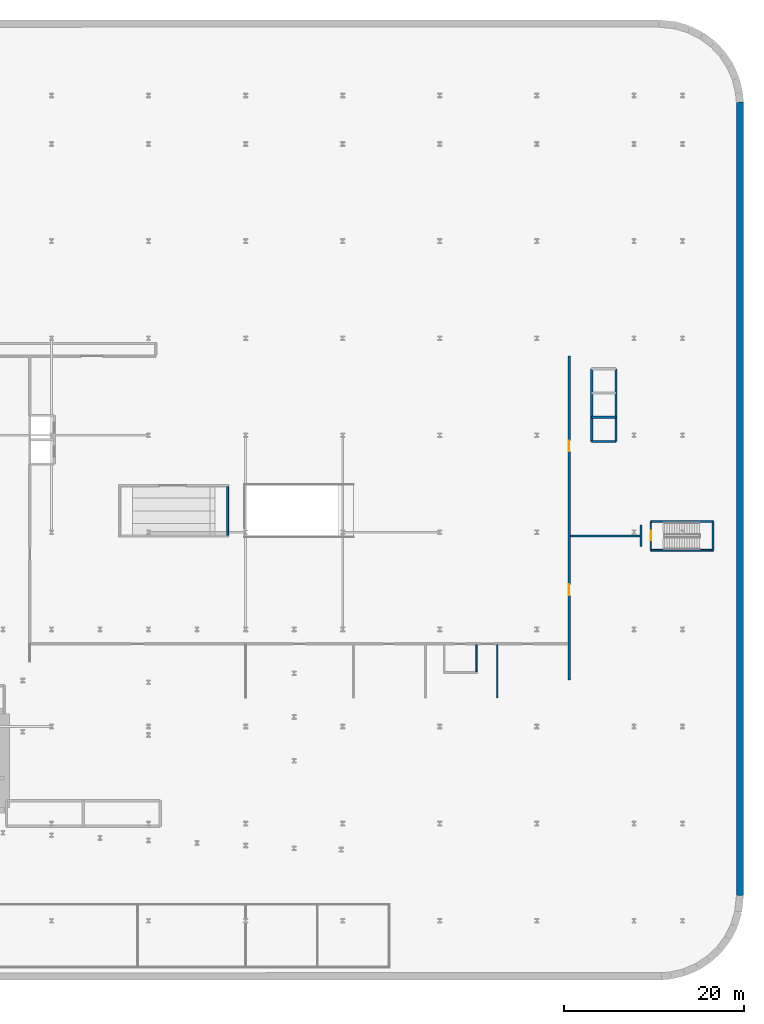
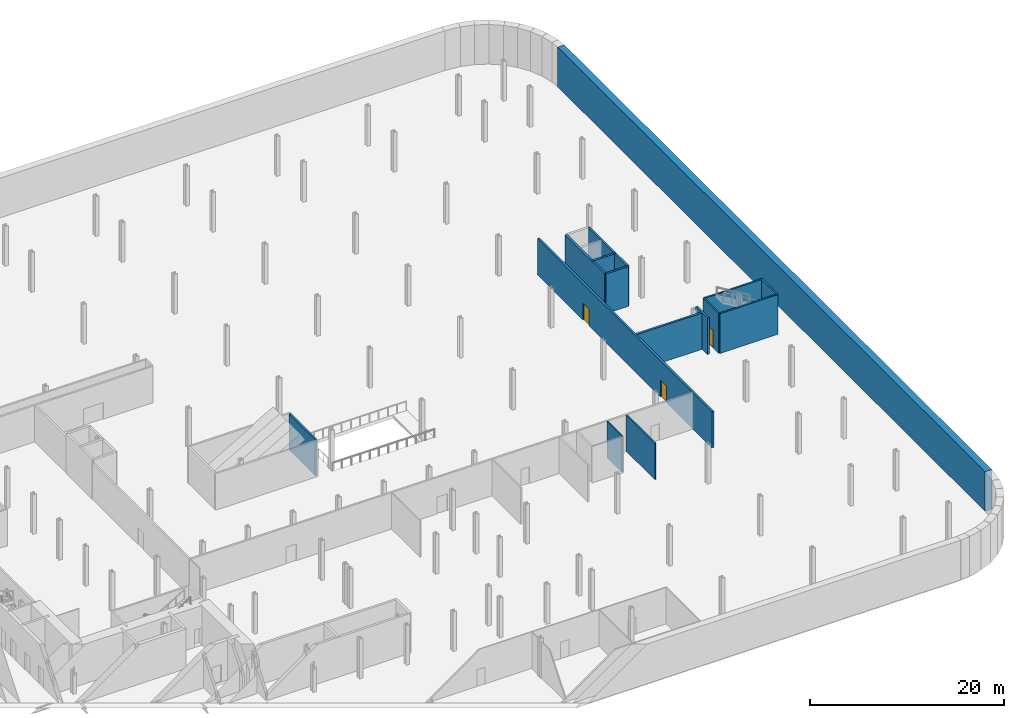
# One storey, part 13 of 19: 15 walls, 3 doors, 3 openings.
"""IFC4 building model written with IfcOpenShell, lengths in metres."""

from ifc_helpers import new_model, si_unit, direction, frame, frame_2d, origin, place, context, subcontext, project, spatial, rectangle, extrude, source, transform, mapped, material, layer, layer_set, type_object, element, fill, save


model = new_model("IFC4")

# Units and contexts
model_context = context("Model", 3, precision=1e-05, world=origin(), true_north=direction((0.0, 1.0)))
body_context = subcontext(model_context, "Body", "Model", "MODEL_VIEW")
ifc_project = project(units=[si_unit("LENGTHUNIT", "METRE"), si_unit("AREAUNIT", "SQUARE_METRE"), si_unit("VOLUMEUNIT", "CUBIC_METRE"), si_unit("PLANEANGLEUNIT", "RADIAN"), si_unit("MASSUNIT", "GRAM", prefix="KILO")], contexts=[model_context])

# Site, building, storey
site_placement = place(None, origin())
site = spatial("IfcSite", under=ifc_project, at=site_placement, CompositionType="ELEMENT")
building_placement = place(site_placement, origin())
building = spatial("IfcBuilding", under=site, at=building_placement, Name="Kheshtan School and Residences Tower", CompositionType="ELEMENT")
storey_placement = place(building_placement, frame((0.0, 0.0, -5.0)))
storey = spatial("IfcBuildingStorey", under=building, at=storey_placement, Name="B1", CompositionType="ELEMENT", Elevation=-5.0)

# Walls
ifc_material_1 = material(Name="Concrete C35/45", Category="concrete")
ifc_layer_1 = layer(ifc_material_1, 0.800048828125)
ifc_layer_set_1 = layer_set([ifc_layer_1], Name="Basement wall 800 Concrete C35/45")
wall_type_1 = type_object("IfcWallType", Name="Basement wall 800 Concrete C35/45", PredefinedType="SOLIDWALL", material=ifc_layer_set_1)
wall_1_placement = place(storey_placement, frame((134.989013671875, 104.260986328125, 0.0), z_axis=(0.0, 0.0, 1.0), x_axis=(0.000124475473, -0.999999992253, 0.0)))
element("IfcWall", 1, at=wall_1_placement, inside=storey, type_object=wall_type_1, Name="Secant pile wall 20", PredefinedType="SOLIDWALL", context=body_context, shape_type="SweptSolid", body=[
    extrude(rectangle(XDim=88.260986328125, YDim=0.800048828125, at=frame_2d((44.13037109375, 0.0))), origin(), (0.0, 0.0, 1.0), 5.0),
])
ifc_material_2 = material(Name="Gypsum board on steel studs with fire boards", Category="steel")
ifc_layer_2 = layer(ifc_material_2, 0.199951171875)
ifc_layer_set_2 = layer_set([ifc_layer_2], Name="Corridor wall 200")
wall_type_2 = type_object("IfcWallType", Name="Corridor wall 200", PredefinedType="PARTITIONING", material=ifc_layer_set_2)
wall_2_placement = place(storey_placement, frame((78.0, 56.10009765625, 0.0), z_axis=(0.0, 0.0, 1.0), x_axis=(0.0, 1.0, 0.0)))
element("IfcWall", 2, at=wall_2_placement, inside=storey, type_object=wall_type_2, Name="Partition B1-026", PredefinedType="PARTITIONING", context=body_context, shape_type="SweptSolid", body=[
    extrude(rectangle(XDim=5.39990234375, YDim=0.199951171875, at=frame_2d((2.699951171875, 0.0))), origin(), (0.0, 0.0, 1.0), 4.580078125),
])

# Wall, openings, doors
ifc_material_3 = material(Name="Fire-board and steel stud wall with mineral wool", Category="steel")
ifc_layer_3 = layer(ifc_material_3, 0.25)
ifc_layer_set_3 = layer_set([ifc_layer_3], Name="Plant room wall 250")
wall_type_3 = type_object("IfcWallType", Name="Plant room wall 250", PredefinedType="PARTITIONING", material=ifc_layer_set_3)
wall_3_placement = place(storey_placement, frame((116.0, 40.0, 0.0), z_axis=(0.0, 0.0, 1.0), x_axis=(0.0, 1.0, 0.0)))
wall_3 = element("IfcWall", 3, at=wall_3_placement, inside=storey, type_object=wall_type_3, Name="Partition B1-038", PredefinedType="PARTITIONING", context=body_context, shape_type="SweptSolid", body=[
    extrude(rectangle(XDim=36.0, YDim=0.25, at=frame_2d((18.0, 0.0))), origin(), (0.0, 0.0, 1.0), 4.580078125),
])
opening_1_placement = place(wall_3_placement, frame((9.39990234375, 0.0, 0.0)))
opening_1 = element("IfcOpeningElement", 4, at=opening_1_placement, cuts=wall_3, Name="Opening D1-008", PredefinedType="OPENING", context=body_context, shape_type="SweptSolid", body=[
    extrude(rectangle(XDim=1.199951171875, YDim=2.10009765625, at=frame_2d((0.60009765625, 1.050048828125))), frame((0.0, 0.135009765625, 0.0), z_axis=(0.0, -1.0, 0.0), x_axis=(1.0, 0.0, 0.0)), (0.0, 0.0, 1.0), 0.27001953125),
])
opening_2_placement = place(wall_3_placement, frame((25.39990234375, 0.0, 0.0)))
opening_2 = element("IfcOpeningElement", 5, at=opening_2_placement, cuts=wall_3, Name="Opening D1-009", PredefinedType="OPENING", context=body_context, shape_type="SweptSolid", body=[
    extrude(rectangle(XDim=1.199951171875, YDim=2.10009765625, at=frame_2d((0.60009765625, 1.050048828125))), frame((0.0, 0.135009765625, 0.0), z_axis=(0.0, -1.0, 0.0), x_axis=(1.0, 0.0, 0.0)), (0.0, 0.0, 1.0), 0.27001953125),
])
ifc_material_4 = material(Name="Steel-framed fire-resisting door leaf", Category="steel")
door_type_1 = type_object("IfcDoorType", Name="Fire door FD120 1200 x 2100", OperationType="SINGLE_SWING_LEFT", PredefinedType="DOOR", material=ifc_material_4)
shared_shape_1 = source(origin(), body_context, "Body", "SweptSolid", [
    extrude(rectangle(XDim=1.199951171875, YDim=2.10009765625, at=frame_2d((0.60009765625, 1.050048828125))), frame((0.0, 0.02490234375, 0.0), z_axis=(0.0, -1.0, 0.0), x_axis=(1.0, 0.0, 0.0)), (0.0, 0.0, 1.0), 0.050048828125),
])
door_1_placement = place(opening_1_placement, origin())
door_1 = element("IfcDoor", 6, at=door_1_placement, inside=storey, type_object=door_type_1, Name="Door D1-008", OperationType="SINGLE_SWING_RIGHT", OverallHeight=2.10009765625, OverallWidth=1.199951171875, PredefinedType="DOOR", context=body_context, shape_type="MappedRepresentation", body=[
    mapped(shared_shape_1, transform((0.0, 0.0, 0.0), x_axis=(1.0, 0.0, 0.0), y_axis=(0.0, 1.0, 0.0), z_axis=(0.0, 0.0, 1.0), scale=1.0)),
])
fill(opening_1, door_1)
door_2_placement = place(opening_2_placement, origin())
door_2 = element("IfcDoor", 7, at=door_2_placement, inside=storey, type_object=door_type_1, Name="Door D1-009", OperationType="SINGLE_SWING_RIGHT", OverallHeight=2.10009765625, OverallWidth=1.199951171875, PredefinedType="DOOR", context=body_context, shape_type="MappedRepresentation", body=[
    mapped(shared_shape_1, transform((0.0, 0.0, 0.0), x_axis=(1.0, 0.0, 0.0), y_axis=(0.0, 1.0, 0.0), z_axis=(0.0, 0.0, 1.0), scale=1.0)),
])
fill(opening_2, door_2)

# Walls
wall_4_placement = place(storey_placement, frame((116.125, 56.0, 0.0), z_axis=(0.0, 0.0, 1.0), x_axis=(1.0, 0.0, 0.0)))
element("IfcWall", 8, at=wall_4_placement, inside=storey, type_object=wall_type_3, Name="Partition B1-039", PredefinedType="PARTITIONING", context=body_context, shape_type="SweptSolid", body=[
    extrude(rectangle(XDim=7.75, YDim=0.25, at=frame_2d((3.875, 0.0))), origin(), (0.0, 0.0, 1.0), 4.580078125),
])
wall_5_placement = place(storey_placement, frame((124.0, 54.800048828125, 0.0), z_axis=(0.0, 0.0, 1.0), x_axis=(0.0, 1.0, 0.0)))
element("IfcWall", 9, at=wall_5_placement, inside=storey, type_object=wall_type_3, Name="Partition B1-040", PredefinedType="PARTITIONING", context=body_context, shape_type="SweptSolid", body=[
    extrude(rectangle(XDim=2.39990234375, YDim=0.25, at=frame_2d((1.199951171875, 0.0))), origin(), (0.0, 0.0, 1.0), 4.580078125),
])
ifc_material_5 = material(Name="Fire-board shaft wall system")
ifc_layer_4 = layer(ifc_material_5, 0.25)
ifc_layer_set_4 = layer_set([ifc_layer_4], Name="Shaft lining wall 250")
wall_type_4 = type_object("IfcWallType", Name="Shaft lining wall 250", PredefinedType="PARTITIONING", material=ifc_layer_set_4)
for number, where, z_axis, x_axis, name in (
    (10, (118.5, 66.5, 0.0), (0.0, 0.0, 1.0), (0.0, 1.0, 0.0), "Shaft lining wall"),
    (11, (121.199951171875, 66.5, 0.0), (0.0, 0.0, 1.0), (0.0, 1.0, 0.0), "Shaft lining wall"),
):
    element("IfcWall", number, at=place(storey_placement, frame(where, z_axis=z_axis, x_axis=x_axis)), inside=storey, type_object=wall_type_4, Name=name, PredefinedType="PARTITIONING", context=body_context, shape_type="SweptSolid", body=[
        extrude(rectangle(XDim=8.10009765625, YDim=0.25, at=frame_2d((4.050048828125, 0.0))), origin(), (0.0, 0.0, 1.0), 5.0),
    ])
for number, where, z_axis, x_axis, name in (
    (12, (118.5, 66.5, 0.0), (0.0, 0.0, 1.0), (1.0, 0.0, 0.0), "Shaft lining wall"),
    (13, (118.5, 69.199951171875, 0.0), (0.0, 0.0, 1.0), (1.0, 0.0, 0.0), "Shaft lining wall"),
):
    element("IfcWall", number, at=place(storey_placement, frame(where, z_axis=z_axis, x_axis=x_axis)), inside=storey, type_object=wall_type_4, Name=name, PredefinedType="PARTITIONING", context=body_context, shape_type="SweptSolid", body=[
        extrude(rectangle(XDim=2.699951171875, YDim=0.25, at=frame_2d((1.35009765625, 0.0))), origin(), (0.0, 0.0, 1.0), 5.0),
    ])
ifc_material_6 = material(Name="Concrete C40/50", Category="concrete")
ifc_layer_5 = layer(ifc_material_6, 0.199951171875)
ifc_layer_set_5 = layer_set([ifc_layer_5], Name="Stair enclosure wall 200 Concrete C40/50")
wall_type_5 = type_object("IfcWallType", Name="Stair enclosure wall 200 Concrete C40/50", PredefinedType="SHEAR", material=ifc_layer_set_5)
for number, where, z_axis, x_axis, name in (
    (14, (125.080078125, 54.39990234375, 0.0), (0.0, 0.0, 1.0), (1.0, 0.0, 0.0), "Stair enclosure wall"),
    (15, (125.080078125, 57.60009765625, 0.0), (0.0, 0.0, 1.0), (1.0, 0.0, 0.0), "Stair enclosure wall"),
):
    element("IfcWall", number, at=place(storey_placement, frame(where, z_axis=z_axis, x_axis=x_axis)), inside=storey, type_object=wall_type_5, Name=name, PredefinedType="SHEAR", context=body_context, shape_type="SweptSolid", body=[
        extrude(rectangle(XDim=6.919921875, YDim=0.199951171875, at=frame_2d((3.4599609375, 0.0))), origin(), (0.0, 0.0, 1.0), 5.0),
    ])

# Wall, opening, door
wall_6_placement = place(storey_placement, frame((125.080078125, 54.39990234375, 0.0), z_axis=(0.0, 0.0, 1.0), x_axis=(0.0, 1.0, 0.0)))
wall_6 = element("IfcWall", 16, at=wall_6_placement, inside=storey, type_object=wall_type_5, Name="Stair enclosure wall", PredefinedType="SHEAR", context=body_context, shape_type="SweptSolid", body=[
    extrude(rectangle(XDim=3.2001953125, YDim=0.199951171875, at=frame_2d((1.60009765625, 0.0))), origin(), (0.0, 0.0, 1.0), 5.0),
])
opening_3_placement = place(wall_6_placement, frame((1.10009765625, 0.0, 0.0)))
opening_3 = element("IfcOpeningElement", 17, at=opening_3_placement, cuts=wall_6, Name="Opening SD90", PredefinedType="OPENING", context=body_context, shape_type="SweptSolid", body=[
    extrude(rectangle(XDim=1.10009765625, YDim=2.199951171875, at=frame_2d((0.550048828125, 1.10009765625))), frame((0.0, 0.10986328125, 0.0), z_axis=(0.0, -1.0, 0.0), x_axis=(1.0, 0.0, 0.0)), (0.0, 0.0, 1.0), 0.219970703125),
])
ifc_material_7 = material(Name="Steel door leaf, galvanised", Category="steel")
door_type_2 = type_object("IfcDoorType", Name="Stair door 1100 steel 90 min", OperationType="SINGLE_SWING_LEFT", PredefinedType="DOOR", material=ifc_material_7)
shared_shape_2 = source(origin(), body_context, "Body", "SweptSolid", [
    extrude(rectangle(XDim=1.10009765625, YDim=2.199951171875, at=frame_2d((0.550048828125, 1.10009765625))), frame((0.0, 0.02490234375, 0.0), z_axis=(0.0, -1.0, 0.0), x_axis=(1.0, 0.0, 0.0)), (0.0, 0.0, 1.0), 0.050048828125),
])
door_3_placement = place(opening_3_placement, origin())
door_3 = element("IfcDoor", 18, at=door_3_placement, inside=storey, type_object=door_type_2, Name="Stair door", OperationType="SINGLE_SWING_LEFT", OverallHeight=2.199951171875, OverallWidth=1.10009765625, PredefinedType="DOOR", context=body_context, shape_type="MappedRepresentation", body=[
    mapped(shared_shape_2, transform((0.0, 0.0, 0.0), x_axis=(1.0, 0.0, 0.0), y_axis=(0.0, 1.0, 0.0), z_axis=(0.0, 0.0, 1.0), scale=1.0)),
])
fill(opening_3, door_3)

# Walls
wall_7_placement = place(storey_placement, frame((132.0, 54.39990234375, 0.0), z_axis=(0.0, 0.0, 1.0), x_axis=(0.0, 1.0, 0.0)))
element("IfcWall", 19, at=wall_7_placement, inside=storey, type_object=wall_type_5, Name="Stair enclosure wall", PredefinedType="SHEAR", context=body_context, shape_type="SweptSolid", body=[
    extrude(rectangle(XDim=3.2001953125, YDim=0.199951171875, at=frame_2d((1.60009765625, 0.0))), origin(), (0.0, 0.0, 1.0), 5.0),
])
ifc_material_8 = material(Name="Moisture-resistant gypsum board on steel studs", Category="steel")
ifc_layer_6 = layer(ifc_material_8, 0.14990234375)
ifc_layer_set_6 = layer_set([ifc_layer_6], Name="Wet-room partition 150")
wall_type_6 = type_object("IfcWallType", Name="Wet-room partition 150", PredefinedType="PARTITIONING", material=ifc_layer_set_6)
wall_8_placement = place(storey_placement, frame((105.699951171875, 40.875, 0.0), z_axis=(0.0, 0.0, 1.0), x_axis=(0.0, 1.0, 0.0)))
element("IfcWall", 20, at=wall_8_placement, inside=storey, type_object=wall_type_6, Name="Partition B1-036", PredefinedType="PARTITIONING", context=body_context, shape_type="SweptSolid", body=[
    extrude(rectangle(XDim=3.02490234375, YDim=0.14990234375, at=frame_2d((1.512451171875, 0.0))), origin(), (0.0, 0.0, 1.0), 4.580078125),
])
wall_9_placement = place(storey_placement, frame((108.0, 38.0, 0.0), z_axis=(0.0, 0.0, 1.0), x_axis=(0.0, 1.0, 0.0)))
element("IfcWall", 21, at=wall_9_placement, inside=storey, type_object=wall_type_6, Name="Partition B1-037", PredefinedType="PARTITIONING", context=body_context, shape_type="SweptSolid", body=[
    extrude(rectangle(XDim=5.89990234375, YDim=0.14990234375, at=frame_2d((2.949951171875, 0.0))), origin(), (0.0, 0.0, 1.0), 4.580078125),
])

save(model, "model.ifc")
